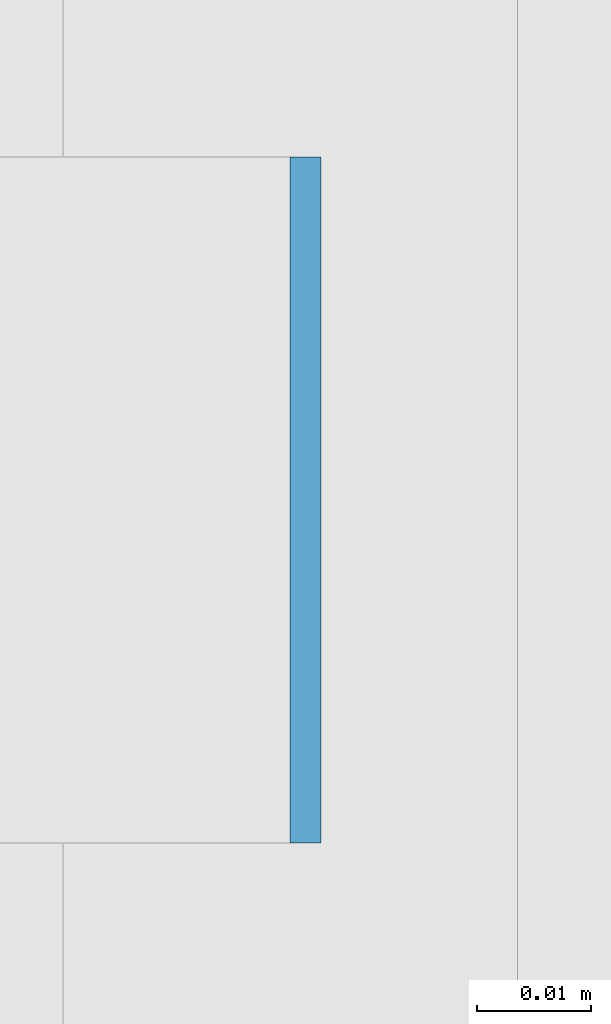
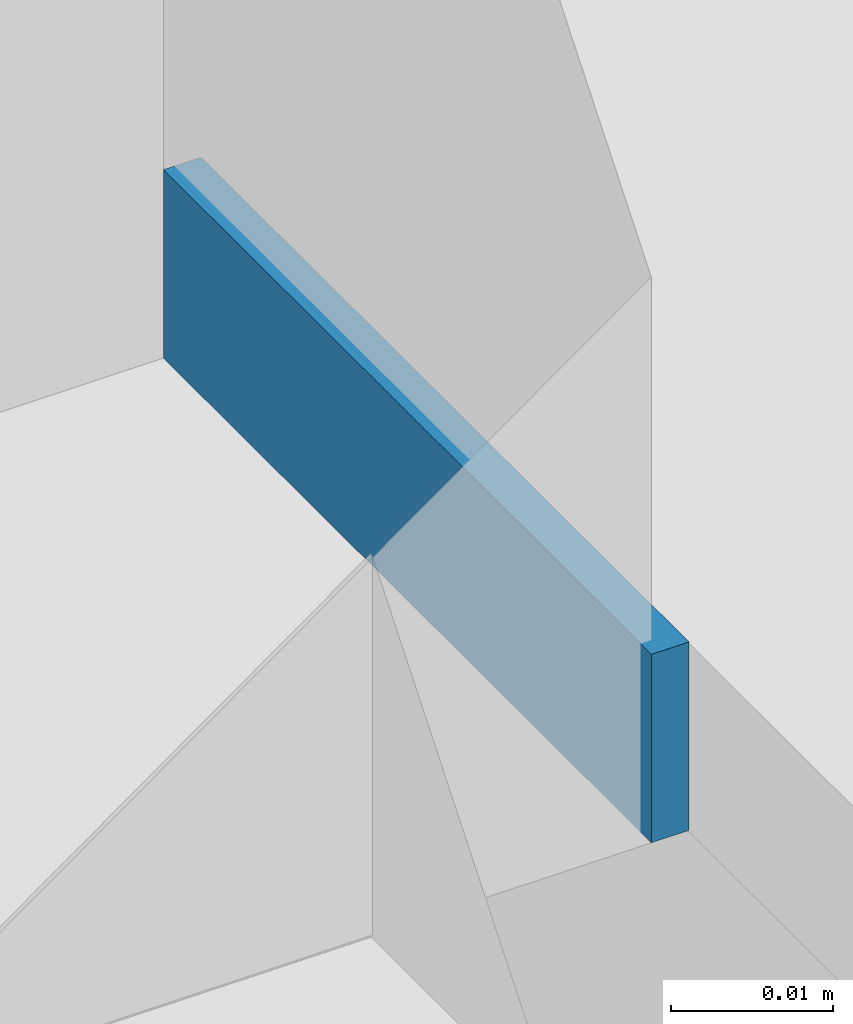
# One storey, part 354 of 646: 1 discrete accessory.
"""IFC4 building model written with IfcOpenShell, lengths in metres."""

from ifc_helpers import new_model, si_unit, direction, frame, origin, origin_2d, place, context, subcontext, project, spatial, rectangle, extrude, material, type_object, element, save


model = new_model("IFC4")

# Units and contexts
model_context = context("Model", 3, precision=1e-05, world=origin(), true_north=direction((0.0, 1.0)))
body_context = subcontext(model_context, "Body", "Model", "MODEL_VIEW")
ifc_project = project(units=[si_unit("LENGTHUNIT", "METRE"), si_unit("AREAUNIT", "SQUARE_METRE"), si_unit("VOLUMEUNIT", "CUBIC_METRE"), si_unit("PLANEANGLEUNIT", "RADIAN"), si_unit("MASSUNIT", "GRAM", prefix="KILO")], contexts=[model_context])

# Site, building, storey
site_placement = place(None, origin())
site = spatial("IfcSite", under=ifc_project, at=site_placement, CompositionType="ELEMENT")
building_placement = place(site_placement, origin())
building = spatial("IfcBuilding", under=site, at=building_placement, Name="Silverbay Arena", CompositionType="ELEMENT")
storey_placement = place(building_placement, frame((0.0, 0.0, 33.5)))
storey = spatial("IfcBuildingStorey", under=building, at=storey_placement, Name="L05", CompositionType="ELEMENT", Elevation=33.5)

# Discrete accessory
ifc_material = material(Name="Steel S355", Category="steel")
discrete_accessory_type = type_object("IfcDiscreteAccessoryType", Name="Steel bracket plate", PredefinedType="BRACKET", material=ifc_material)
discrete_accessory_placement = place(storey_placement, frame((53.871337890625, 92.571533203125, 4.0), z_axis=(0.0, 0.0, 1.0), x_axis=(1.0, 0.0, 0.0)))
element("IfcDiscreteAccessory", 1, at=discrete_accessory_placement, inside=storey, type_object=discrete_accessory_type, Name="Curtain wall packing plate", PredefinedType="BRACKET", context=body_context, shape_type="SweptSolid", body=[
    extrude(rectangle(XDim=0.002685546875, YDim=0.06005859375, at=origin_2d()), origin(), (0.0, 0.0, 1.0), 0.01416015625),
])

save(model, "model.ifc")
